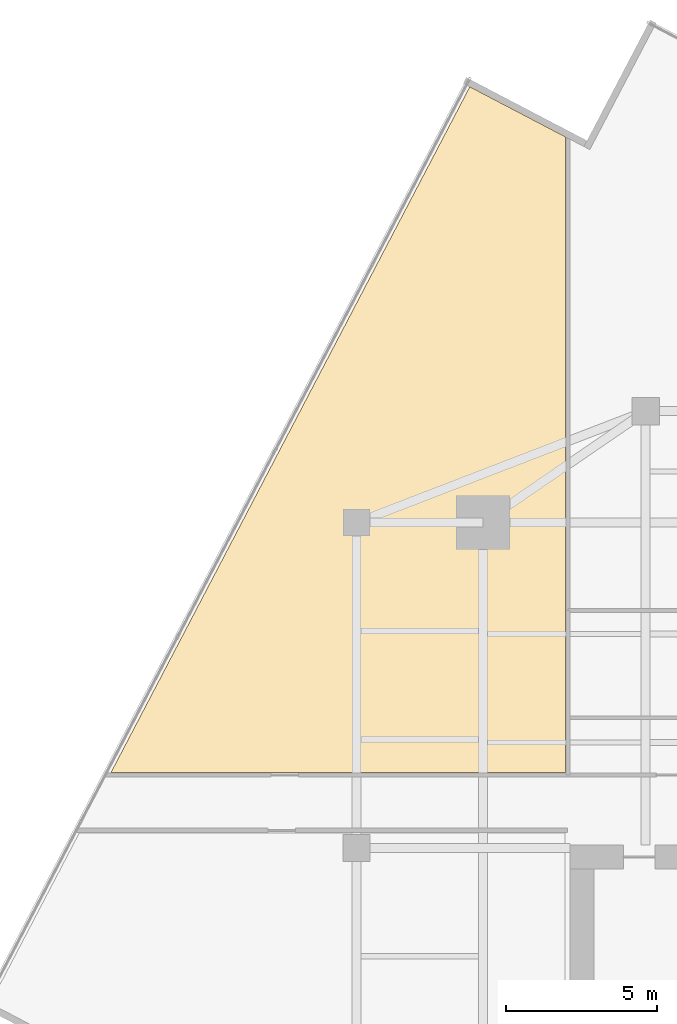
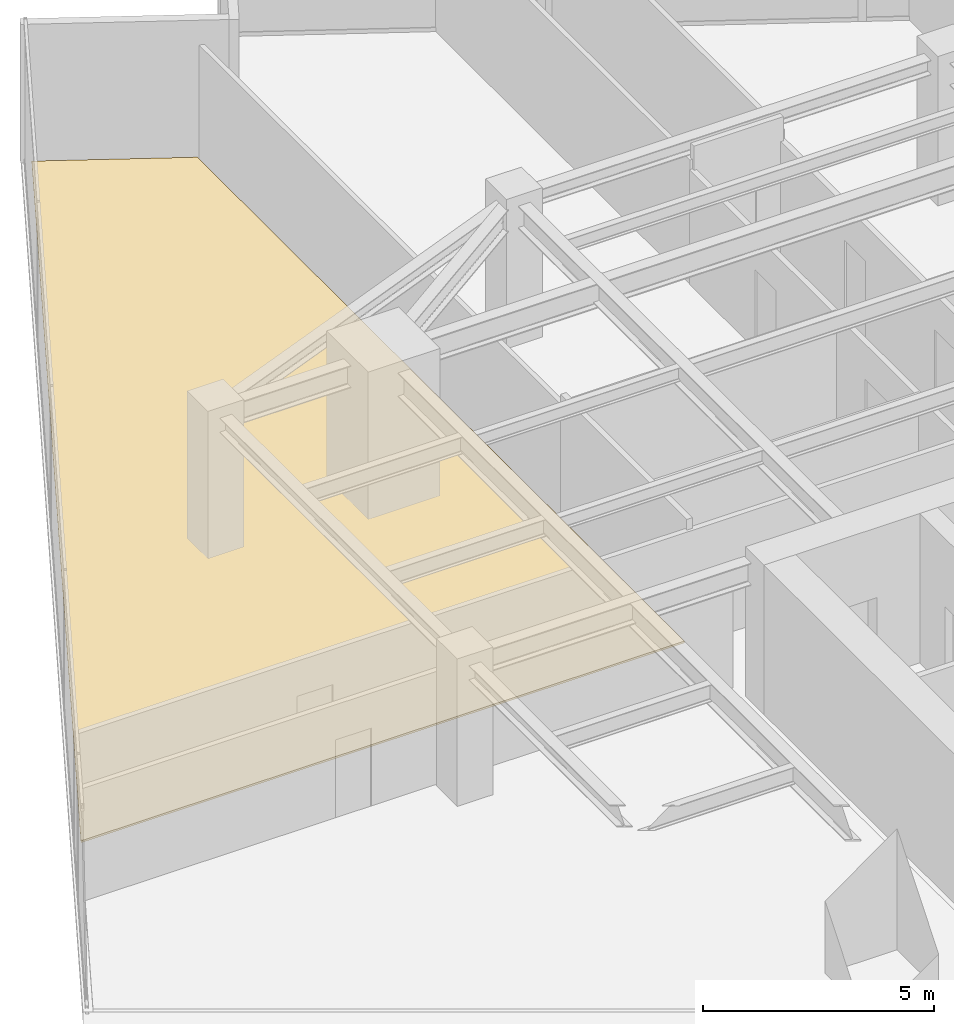
# One storey, part 26 of 27: 1 covering.
"""IFC4 building model written with IfcOpenShell, lengths in metres."""

from ifc_helpers import new_model, si_unit, direction, frame, origin, place, context, subcontext, project, spatial, polyline, outline, extrude, material, layer, layer_set, type_object, element, save


model = new_model("IFC4")

# Units and contexts
model_context = context("Model", 3, precision=1e-05, world=origin(), true_north=direction((0.0, 1.0)))
body_context = subcontext(model_context, "Body", "Model", "MODEL_VIEW")
ifc_project = project(units=[si_unit("LENGTHUNIT", "METRE"), si_unit("AREAUNIT", "SQUARE_METRE"), si_unit("VOLUMEUNIT", "CUBIC_METRE"), si_unit("PLANEANGLEUNIT", "RADIAN"), si_unit("MASSUNIT", "GRAM", prefix="KILO")], contexts=[model_context])

# Site, building, storey
site_placement = place(None, origin())
site = spatial("IfcSite", under=ifc_project, at=site_placement, CompositionType="ELEMENT")
building_placement = place(site_placement, origin())
building = spatial("IfcBuilding", under=site, at=building_placement, Name="Krantzveldt Concourse Tower", CompositionType="ELEMENT")
storey_placement = place(building_placement, frame((0.0, 0.0, 150.14990234375)))
storey = spatial("IfcBuildingStorey", under=building, at=storey_placement, Name="L36", CompositionType="ELEMENT", Elevation=150.14990234375)

# Covering
ifc_material = material(Name="Calcium-sulphate raised access floor panel", Category="flooring")
ifc_layer = layer(ifc_material, 0.050048828125, Name="Calcium-sulphate raised access floor panel", Category="flooring")
ifc_layer_set = layer_set([ifc_layer], Name="Calcium-sulphate raised access floor panel (COV-FLOOR-RAISED)")
covering_type = type_object("IfcCoveringType", Name="COV-FLOOR-RAISED", PredefinedType="FLOORING", material=ifc_layer_set)
covering_placement = place(storey_placement, origin())
element("IfcCovering", 1, at=covering_placement, inside=storey, type_object=covering_type, Name="FLR-SP-L36-NWX1", PredefinedType="FLOORING", context=body_context, shape_type="SweptSolid", body=[
    extrude(outline(polyline([(12.8388671875, 29.199951171875), (24.757568359375, 51.97412109375), (27.93994140625, 50.30859375), (27.93994140625, 29.199951171875), (12.8388671875, 29.199951171875)])), origin(), (0.0, 0.0, 1.0), 0.050048828125),
])

save(model, "model.ifc")
